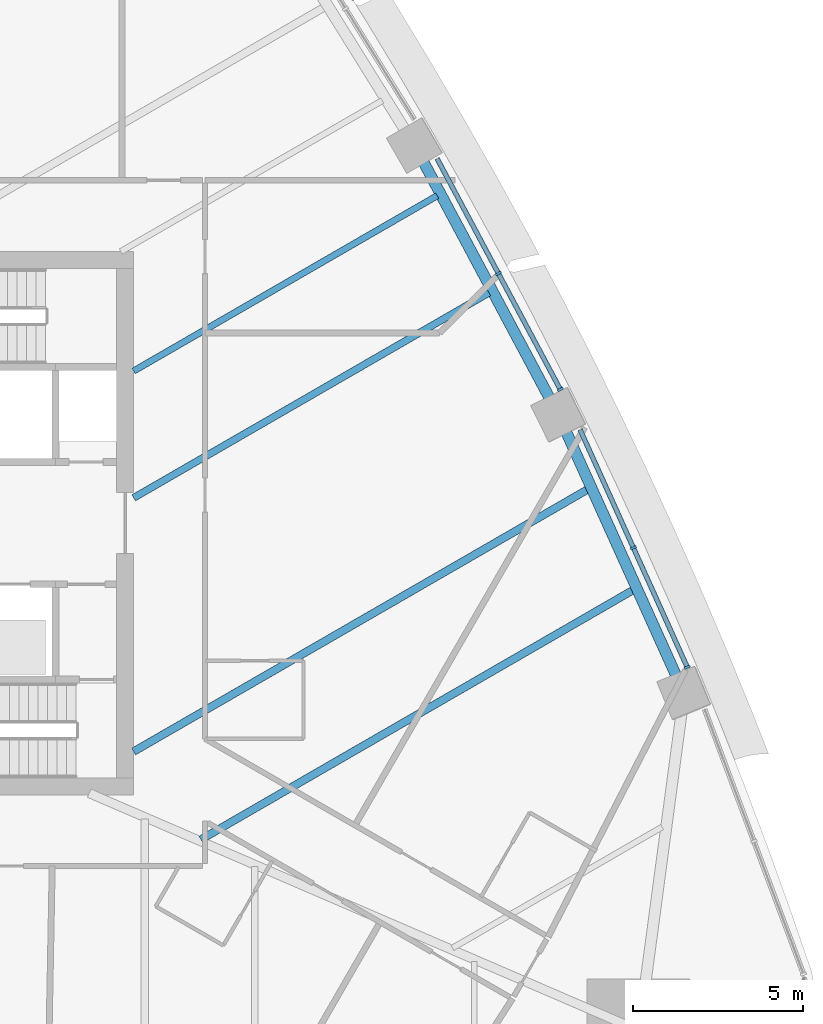
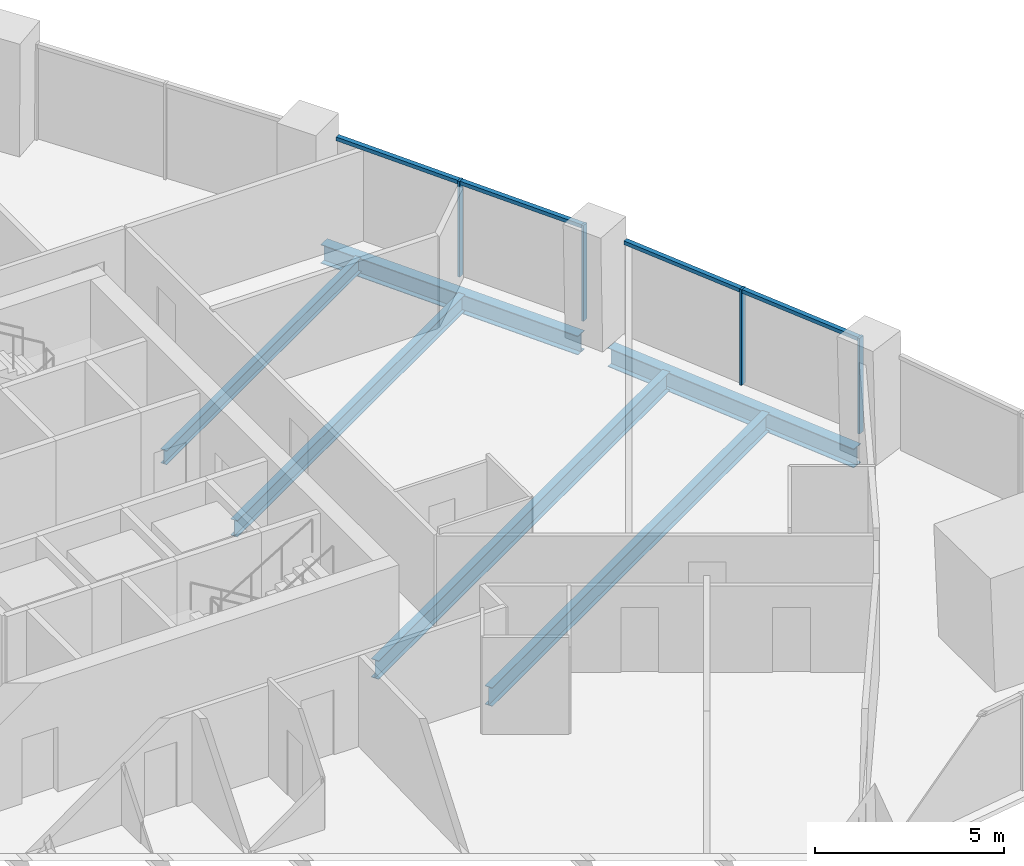
# One storey, part 5 of 17: 8 members, 6 beams, 2 elements without a shape of their own.
"""IFC4 building model written with IfcOpenShell, lengths in metres."""

from ifc_helpers import new_model, si_unit, direction, frame, origin, origin_2d, place, context, subcontext, project, spatial, rectangle, i_section, extrude, material, layer, layer_set, material_profile, profile_set, type_object, element, aggregate, save


model = new_model("IFC4")

# Units and contexts
model_context = context("Model", 3, precision=1e-05, world=origin(), true_north=direction((0.0, 1.0)))
body_context = subcontext(model_context, "Body", "Model", "MODEL_VIEW")
ifc_project = project(units=[si_unit("LENGTHUNIT", "METRE"), si_unit("AREAUNIT", "SQUARE_METRE"), si_unit("VOLUMEUNIT", "CUBIC_METRE"), si_unit("PLANEANGLEUNIT", "RADIAN"), si_unit("MASSUNIT", "GRAM", prefix="KILO")], contexts=[model_context])

# Site, building, storey
site_placement = place(None, origin())
site = spatial("IfcSite", under=ifc_project, at=site_placement, CompositionType="ELEMENT")
building_placement = place(site_placement, origin())
building = spatial("IfcBuilding", under=site, at=building_placement, Name="Sierra Prisma Convention Tower", CompositionType="ELEMENT")
storey_placement = place(building_placement, frame((0.0, 0.0, 92.39990234375)))
storey = spatial("IfcBuildingStorey", under=building, at=storey_placement, Name="L19", CompositionType="ELEMENT", Elevation=92.39990234375)

# Curtain wall, members
ifc_material_1 = material(Name="Aluminium and glass curtain wall", Category="aluminium")
ifc_layer = layer(ifc_material_1, 0.179931640625)
ifc_layer_set = layer_set([ifc_layer], Name="CW-1 Plain shaft curtain wall")
curtain_wall_type = type_object("IfcCurtainWallType", Name="CW-1 Plain shaft curtain wall", PredefinedType="NOTDEFINED", material=ifc_layer_set)
curtain_wall_1_placement = place(storey_placement, origin())
curtain_wall_1 = element("IfcCurtainWall", 1, at=curtain_wall_1_placement, inside=storey, type_object=curtain_wall_type, Name="CW-1 NE2 L19", PredefinedType="NOTDEFINED")
ifc_material_2 = material(Name="Aluminium 6063-T6 bronze anodised", Category="aluminium")
ifc_material_profile_1 = material_profile(ifc_material_2, rectangle(XDim=0.179931640625, YDim=0.070068359375, at=origin_2d()), Name="ALU MULLION 70x180")
ifc_profile_set_1 = profile_set([ifc_material_profile_1], Name="Aluminium 6063-T6 bronze anodised")
member_type_1 = type_object("IfcMemberType", Name="CW mullion bronze", PredefinedType="MULLION", material=ifc_profile_set_1)
member_1_placement = place(storey_placement, frame((27.302734375, -4.2392578125, 0.0), z_axis=(0.0, 0.0, 1.0), x_axis=(-0.911497008653, -0.41130670213, 0.0)))
member_1 = element("IfcMember", 2, at=member_1_placement, type_object=member_type_1, Name="CW-1 mullion NE2.1", PredefinedType="MULLION", context=body_context, shape_type="SweptSolid", body=[
    extrude(rectangle(XDim=0.179931640625, YDim=0.070068359375, at=origin_2d()), origin(), (0.0, 0.0, 1.0), 3.10009765625),
])
member_2_placement = place(storey_placement, frame((25.717041015625, -0.7255859375, 0.0), z_axis=(0.0, 0.0, 1.0), x_axis=(-0.911497008653, -0.41130670213, 0.0)))
member_2 = element("IfcMember", 3, at=member_2_placement, type_object=member_type_1, Name="CW-1 mullion NE2.2", PredefinedType="MULLION", context=body_context, shape_type="SweptSolid", body=[
    extrude(rectangle(XDim=0.179931640625, YDim=0.070068359375, at=origin_2d()), origin(), (0.0, 0.0, 1.0), 3.10009765625),
])

curtain_wall_2_placement = place(storey_placement, origin())
curtain_wall_2 = element("IfcCurtainWall", 4, at=curtain_wall_2_placement, inside=storey, type_object=curtain_wall_type, Name="CW-1 NE3 L19", PredefinedType="NOTDEFINED")
member_3_placement = place(storey_placement, frame((23.5654296875, 3.938232421875, 0.0), z_axis=(0.0, 0.0, 1.0), x_axis=(-0.882162633822, -0.470944887952, 0.0)))
member_3 = element("IfcMember", 5, at=member_3_placement, type_object=member_type_1, Name="CW-1 mullion NE3.1", PredefinedType="MULLION", context=body_context, shape_type="SweptSolid", body=[
    extrude(rectangle(XDim=0.179931640625, YDim=0.070068359375, at=origin_2d()), origin(), (0.0, 0.0, 1.0), 3.10009765625),
])
member_4_placement = place(storey_placement, frame((21.742431640625, 7.352783203125, 0.0), z_axis=(0.0, 0.0, 1.0), x_axis=(-0.882162633822, -0.470944887952, 0.0)))
member_4 = element("IfcMember", 6, at=member_4_placement, type_object=member_type_1, Name="CW-1 mullion NE3.2", PredefinedType="MULLION", context=body_context, shape_type="SweptSolid", body=[
    extrude(rectangle(XDim=0.179931640625, YDim=0.070068359375, at=origin_2d()), origin(), (0.0, 0.0, 1.0), 3.10009765625),
])

# Member
ifc_material_3 = material(Name="Aluminium 6063-T6 bronze anodised", Category="aluminium")
ifc_material_profile_2 = material_profile(ifc_material_3, rectangle(XDim=0.139892578125, YDim=0.1201171875, at=origin_2d()), Name="ALU TRANSOM 120x140")
ifc_profile_set_2 = profile_set([ifc_material_profile_2], Name="Aluminium 6063-T6 bronze anodised")
member_type_2 = type_object("IfcMemberType", Name="CW transom bronze", PredefinedType="USERDEFINED", material=ifc_profile_set_2)
member_5_placement = place(storey_placement, frame((27.288330078125, -4.207275390625, 3.0400390625), z_axis=(-0.411356839342, 0.911474382924, 0.0), x_axis=(-0.911474382924, -0.411356839342, 0.0)))
member_5 = element("IfcMember", 7, at=member_5_placement, type_object=member_type_2, Name="CW-1 transom NE2.1", ObjectType="TRANSOM", PredefinedType="USERDEFINED", context=body_context, shape_type="SweptSolid", body=[
    extrude(rectangle(XDim=0.139892578125, YDim=0.1201171875, at=origin_2d()), origin(), (0.0, 0.0, 1.0), 3.78466796875),
])

member_6_placement = place(storey_placement, frame((25.70263671875, -0.69384765625, 3.0400390625), z_axis=(-0.41127906335, 0.911509479956, 0.0), x_axis=(-0.911509479956, -0.41127906335, 0.0)))
member_6 = element("IfcMember", 8, at=member_6_placement, type_object=member_type_2, Name="CW-1 transom NE2.2", ObjectType="TRANSOM", PredefinedType="USERDEFINED", context=body_context, shape_type="SweptSolid", body=[
    extrude(rectangle(XDim=0.139892578125, YDim=0.1201171875, at=origin_2d()), origin(), (0.0, 0.0, 1.0), 3.784912109375),
])

aggregate(curtain_wall_1, [member_1, member_2, member_5, member_6])

member_7_placement = place(storey_placement, frame((23.549072265625, 3.968994140625, 3.0400390625), z_axis=(-0.470948250333, 0.882160838798, 0.0), x_axis=(-0.882160838798, -0.470948250333, 0.0)))
member_7 = element("IfcMember", 9, at=member_7_placement, type_object=member_type_2, Name="CW-1 transom NE3.1", ObjectType="TRANSOM", PredefinedType="USERDEFINED", context=body_context, shape_type="SweptSolid", body=[
    extrude(rectangle(XDim=0.139892578125, YDim=0.1201171875, at=origin_2d()), origin(), (0.0, 0.0, 1.0), 3.801025390625),
])

member_8_placement = place(storey_placement, frame((21.72607421875, 7.3837890625, 3.0400390625), z_axis=(-0.470948250333, 0.882160838798, 0.0), x_axis=(-0.882160838798, -0.470948250333, 0.0)))
member_8 = element("IfcMember", 10, at=member_8_placement, type_object=member_type_2, Name="CW-1 transom NE3.2", ObjectType="TRANSOM", PredefinedType="USERDEFINED", context=body_context, shape_type="SweptSolid", body=[
    extrude(rectangle(XDim=0.139892578125, YDim=0.1201171875, at=origin_2d()), origin(), (0.0, 0.0, 1.0), 3.801025390625),
])

aggregate(curtain_wall_2, [member_3, member_4, member_7, member_8])

# Beams
ifc_material_4 = material(Name="Steel ASTM A992 Gr 50", Category="steel")
ifc_material_profile_3 = material_profile(ifc_material_4, i_section(OverallWidth=0.18994140625, OverallDepth=0.45703125, WebThickness=0.009033203125, FlangeThickness=0.014404296875, at=origin_2d()), Name="W460x74")
ifc_profile_set_3 = profile_set([ifc_material_profile_3], Name="Steel ASTM A992 Gr 50")
beam_type_1 = type_object("IfcBeamType", Name="Floor joist W460x74", PredefinedType="JOIST", material=ifc_profile_set_3)
beam_1_placement = place(storey_placement, frame((19.938720703125, 9.6435546875, -0.37841796875), z_axis=(-0.866020542852, -0.500008419287, 0.0), x_axis=(0.500008419287, -0.866020542852, 0.0)))
element("IfcBeam", 11, at=beam_1_placement, inside=storey, type_object=beam_type_1, Name="Floor joist L19 NE08", PredefinedType="JOIST", context=body_context, shape_type="SweptSolid", body=[
    extrude(i_section(OverallWidth=0.18994140625, OverallDepth=0.45703125, WebThickness=0.009033203125, FlangeThickness=0.014404296875, at=origin_2d()), origin(), (0.0, 0.0, 1.0), 10.321533203125),
])
ifc_material_5 = material(Name="Steel ASTM A992 Gr 50", Category="steel")
ifc_material_profile_4 = material_profile(ifc_material_5, i_section(OverallWidth=0.208984375, OverallDepth=0.532958984375, WebThickness=0.01025390625, FlangeThickness=0.015625, at=origin_2d()), Name="W530x92")
ifc_profile_set_4 = profile_set([ifc_material_profile_4], Name="Steel ASTM A992 Gr 50")
beam_type_2 = type_object("IfcBeamType", Name="Floor joist W530x92", PredefinedType="JOIST", material=ifc_profile_set_4)
beam_2_placement = place(storey_placement, frame((21.46337890625, 6.78759765625, -0.41650390625), z_axis=(-0.866026084844, -0.499998820369, 0.0), x_axis=(0.499998820369, -0.866026084844, 0.0)))
element("IfcBeam", 12, at=beam_2_placement, inside=storey, type_object=beam_type_2, Name="Floor joist L19 NE07", PredefinedType="JOIST", context=body_context, shape_type="SweptSolid", body=[
    extrude(i_section(OverallWidth=0.208984375, OverallDepth=0.532958984375, WebThickness=0.01025390625, FlangeThickness=0.015625, at=origin_2d()), origin(), (0.0, 0.0, 1.0), 12.08203125),
])
ifc_material_6 = material(Name="Steel ASTM A992 Gr 50", Category="steel")
ifc_material_profile_5 = material_profile(ifc_material_6, i_section(OverallWidth=0.22802734375, OverallDepth=0.60302734375, WebThickness=0.010498046875, FlangeThickness=0.014892578125, at=origin_2d()), Name="W610x101")
ifc_profile_set_5 = profile_set([ifc_material_profile_5], Name="Steel ASTM A992 Gr 50")
beam_type_3 = type_object("IfcBeamType", Name="Floor joist W610x101", PredefinedType="JOIST", material=ifc_profile_set_5)
beam_3_placement = place(storey_placement, frame((25.71484375, -1.96630859375, -0.451416015625), z_axis=(-0.866030163094, -0.499991756544, 0.0), x_axis=(0.499991756544, -0.866030163094, 0.0)))
element("IfcBeam", 13, at=beam_3_placement, inside=storey, type_object=beam_type_3, Name="Floor joist L19 NE04", PredefinedType="JOIST", context=body_context, shape_type="SweptSolid", body=[
    extrude(i_section(OverallWidth=0.22802734375, OverallDepth=0.60302734375, WebThickness=0.010498046875, FlangeThickness=0.014892578125, at=origin_2d()), origin(), (0.0, 0.0, 1.0), 14.700927734375),
])
beam_4_placement = place(storey_placement, frame((24.377197265625, 0.99755859375, -0.451416015625), z_axis=(-0.866023715381, -0.500002924389, 0.0), x_axis=(0.500002924389, -0.866023715381, 0.0)))
element("IfcBeam", 14, at=beam_4_placement, inside=storey, type_object=beam_type_3, Name="Floor joist L19 NE05", PredefinedType="JOIST", context=body_context, shape_type="SweptSolid", body=[
    extrude(i_section(OverallWidth=0.22802734375, OverallDepth=0.60302734375, WebThickness=0.010498046875, FlangeThickness=0.014892578125, at=origin_2d()), origin(), (0.0, 0.0, 1.0), 15.44677734375),
])
ifc_material_7 = material(Name="Steel ASTM A992 Gr 50", Category="steel")
ifc_material_profile_6 = material_profile(ifc_material_7, i_section(OverallWidth=0.324951171875, OverallDepth=0.615966796875, WebThickness=0.013916015625, FlangeThickness=0.021484375, at=origin_2d()), Name="W610x174")
ifc_profile_set_6 = profile_set([ifc_material_profile_6], Name="Steel ASTM A992 Gr 50")
beam_type_4 = type_object("IfcBeamType", Name="Spandrel beam W610x174", PredefinedType="BEAM", material=ifc_profile_set_6)
for number, where, z_axis, x_axis, name in (
    (15, (27.014892578125, -4.573486328125, -0.4580078125), (-0.41129533029, 0.911502140031, 0.0), (-0.911502140031, -0.41129533029, 0.0), "Spandrel L19-08"),
    (16, (23.285400390625, 3.614013671875, -0.4580078125), (-0.470953971616, 0.882157784424, 0.0), (-0.882157784424, -0.470953971616, 0.0), "Spandrel L19-09"),
):
    element("IfcBeam", number, at=place(storey_placement, frame(where, z_axis=z_axis, x_axis=x_axis)), inside=storey, type_object=beam_type_4, Name=name, PredefinedType="BEAM", context=body_context, shape_type="SweptSolid", body=[
        extrude(i_section(OverallWidth=0.324951171875, OverallDepth=0.615966796875, WebThickness=0.013916015625, FlangeThickness=0.021484375, at=origin_2d()), origin(), (0.0, 0.0, 1.0), 8.037109375),
    ])

save(model, "model.ifc")
